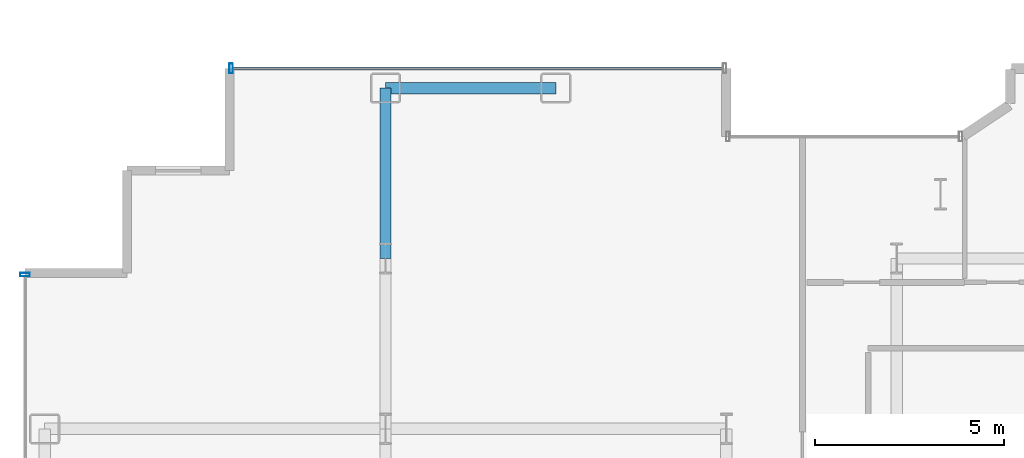
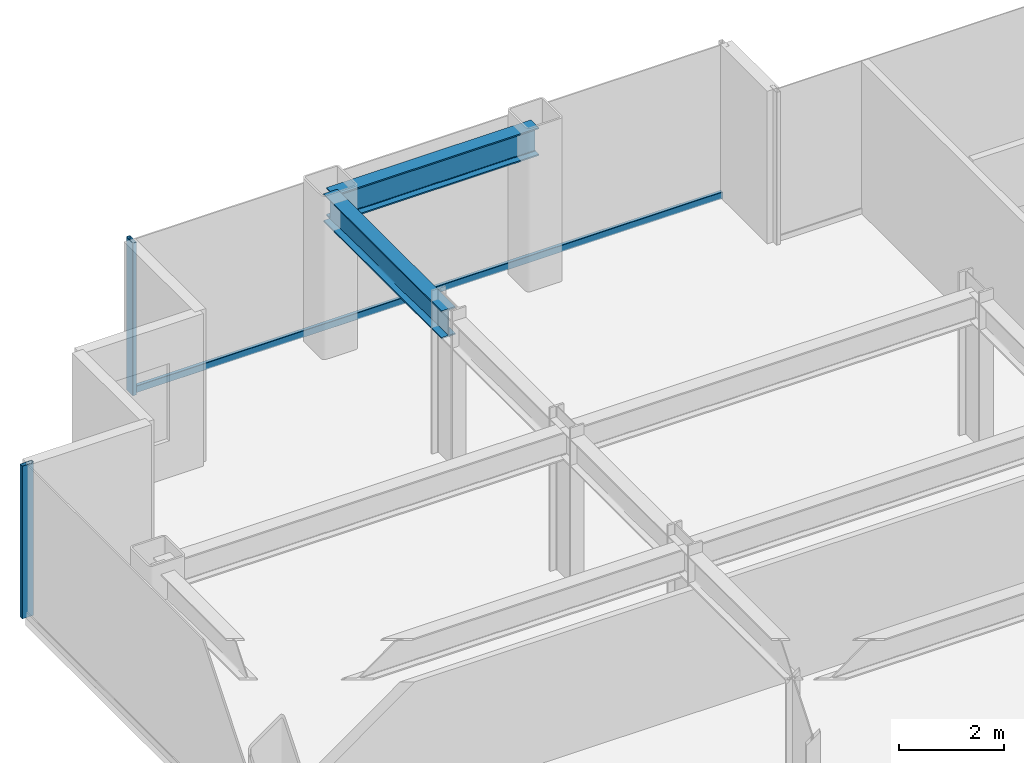
# One storey, part 10 of 23: 3 members, 2 beams, 2 elements without a shape of their own.
"""IFC4 building model written with IfcOpenShell, lengths in metres."""

from ifc_helpers import new_model, si_unit, direction, frame, origin, origin_2d, place, context, subcontext, project, spatial, hollow_rectangle, i_section, extrude, source, transform, mapped, material, layer, layer_set, material_profile, profile_set, type_object, element, aggregate, save


model = new_model("IFC4")

# Units and contexts
model_context = context("Model", 3, precision=1e-05, world=origin(), true_north=direction((0.0, 1.0)))
body_context = subcontext(model_context, "Body", "Model", "MODEL_VIEW")
ifc_project = project(units=[si_unit("LENGTHUNIT", "METRE"), si_unit("AREAUNIT", "SQUARE_METRE"), si_unit("VOLUMEUNIT", "CUBIC_METRE"), si_unit("PLANEANGLEUNIT", "RADIAN"), si_unit("MASSUNIT", "GRAM", prefix="KILO")], contexts=[model_context])

# Site, building, storey
site_placement = place(None, origin())
site = spatial("IfcSite", under=ifc_project, at=site_placement, CompositionType="ELEMENT")
building_placement = place(site_placement, origin())
building = spatial("IfcBuilding", under=site, at=building_placement, Name="Nefas-Gora Pilgrimage Tower", CompositionType="ELEMENT")
storey_placement = place(building_placement, frame((0.0, 0.0, 175.39990234375)))
storey = spatial("IfcBuildingStorey", under=building, at=storey_placement, Name="L43", CompositionType="ELEMENT", Elevation=175.39990234375)

# Beams
ifc_material_1 = material(Name="Steel S355", Category="steel")
ifc_material_profile_1 = material_profile(ifc_material_1, i_section(OverallWidth=0.300048828125, OverallDepth=0.64990234375, WebThickness=0.01611328125, FlangeThickness=0.031005859375, FilletRadius=0.027099609375, at=origin_2d()), Name="HEB 650")
ifc_profile_set_1 = profile_set([ifc_material_profile_1], Name="Steel S355")
beam_type_1 = type_object("IfcBeamType", Name="BM-SPN-HEB500", PredefinedType="SPANDREL", material=ifc_profile_set_1)
shared_shape_1 = source(origin(), body_context, "Body", "SweptSolid", [
    extrude(i_section(OverallWidth=0.300048828125, OverallDepth=0.64990234375, WebThickness=0.01611328125, FlangeThickness=0.031005859375, FilletRadius=0.027099609375, at=origin_2d()), origin(), (0.0, 0.0, 1.0), 4.5),
])
beam_1_placement = place(storey_placement, frame((-24.75, 22.5, 3.22509765625), z_axis=(1.0, 0.0, 0.0), x_axis=(0.0, 1.0, 0.0)))
element("IfcBeam", 1, at=beam_1_placement, inside=storey, type_object=beam_type_1, Name="L43 SP-02 beam", PredefinedType="SPANDREL", context=body_context, shape_type="MappedRepresentation", body=[
    mapped(shared_shape_1, transform((0.0, 0.0, 0.0), x_axis=(1.0, 0.0, 0.0), y_axis=(0.0, 1.0, 0.0), z_axis=(0.0, 0.0, 1.0), scale=1.0)),
])
ifc_material_profile_2 = material_profile(ifc_material_1, i_section(OverallWidth=0.300048828125, OverallDepth=0.64990234375, WebThickness=0.01611328125, FlangeThickness=0.031005859375, FilletRadius=0.027099609375, at=origin_2d()), Name="HEB 650")
ifc_profile_set_2 = profile_set([ifc_material_profile_2], Name="Steel S355")
beam_type_2 = type_object("IfcBeamType", Name="BM-GIR-HEB650", PredefinedType="BEAM", material=ifc_profile_set_2)
shared_shape_2 = source(origin(), body_context, "Body", "SweptSolid", [
    extrude(i_section(OverallWidth=0.300048828125, OverallDepth=0.64990234375, WebThickness=0.01611328125, FlangeThickness=0.031005859375, FilletRadius=0.027099609375, at=origin_2d()), origin(), (0.0, 0.0, 1.0), 4.5),
])
beam_2_placement = place(storey_placement, frame((-24.75, 18.0, 3.22509765625), z_axis=(0.0, 1.0, 0.0), x_axis=(-1.0, 0.0, 0.0)))
element("IfcBeam", 2, at=beam_2_placement, inside=storey, type_object=beam_type_2, Name="L43 G-03 beam", PredefinedType="BEAM", context=body_context, shape_type="MappedRepresentation", body=[
    mapped(shared_shape_2, transform((0.0, 0.0, 0.0), x_axis=(1.0, 0.0, 0.0), y_axis=(0.0, 1.0, 0.0), z_axis=(0.0, 0.0, 1.0), scale=1.0)),
])

# Curtain wall, member
ifc_material_2 = material(Name="Dark ceramic-fritted solar-control aluminium-glass curtain wall", Category="aluminium")
ifc_layer = layer(ifc_material_2, 0.219970703125)
ifc_layer_set = layer_set([ifc_layer], Name="Dark ceramic-fritted solar-control aluminium-glass curtain wall")
curtain_wall_type = type_object("IfcCurtainWallType", Name="CW-SYS-3", PredefinedType="NOTDEFINED", material=ifc_layer_set)
curtain_wall_1_placement = place(storey_placement, origin())
curtain_wall_1 = element("IfcCurtainWall", 3, at=curtain_wall_1_placement, inside=storey, type_object=curtain_wall_type, Name="L43 Unitised Curtain Wall CW3", PredefinedType="NOTDEFINED")
ifc_material_3 = material(Name="Anodised architectural aluminium", Category="aluminium")
ifc_material_profile_3 = material_profile(ifc_material_3, hollow_rectangle(XDim=0.090087890625, YDim=0.260009765625, WallThickness=0.006103515625, InnerFilletRadius=0.006103515625, OuterFilletRadius=0.011962890625, at=origin_2d()), Name="ALU MULLION 90x260")
ifc_profile_set_3 = profile_set([ifc_material_profile_3], Name="Anodised architectural aluminium")
member_type_1 = type_object("IfcMemberType", Name="CWM-MUL-3", PredefinedType="MULLION", material=ifc_profile_set_3)
shared_shape_3 = source(origin(), body_context, "Body", "SweptSolid", [
    extrude(hollow_rectangle(XDim=0.090087890625, YDim=0.260009765625, WallThickness=0.006103515625, InnerFilletRadius=0.006103515625, OuterFilletRadius=0.011962890625, at=origin_2d()), origin(), (0.0, 0.0, 1.0), 3.550048828125),
])
member_1_placement = place(storey_placement, frame((-28.824951171875, 23.02001953125, 0.0), z_axis=(0.0, 0.0, 1.0), x_axis=(-1.0, 0.0, 0.0)))
member_1 = element("IfcMember", 4, at=member_1_placement, type_object=member_type_1, Name="CW3 Mullion 2", PredefinedType="MULLION", context=body_context, shape_type="MappedRepresentation", body=[
    mapped(shared_shape_3, transform((0.0, 0.0, 0.0), x_axis=(1.0, 0.0, 0.0), y_axis=(0.0, 1.0, 0.0), z_axis=(0.0, 0.0, 1.0), scale=1.0)),
])

curtain_wall_2_placement = place(storey_placement, origin())
curtain_wall_2 = element("IfcCurtainWall", 5, at=curtain_wall_2_placement, inside=storey, type_object=curtain_wall_type, Name="L43 Unitised Curtain Wall CW3", PredefinedType="NOTDEFINED")
member_2_placement = place(storey_placement, frame((-34.27001953125, 17.574951171875, 0.0), z_axis=(0.0, 0.0, 1.0), x_axis=(0.0, -1.0, 0.0)))
member_2 = element("IfcMember", 6, at=member_2_placement, type_object=member_type_1, Name="CW3 Mullion 1", PredefinedType="MULLION", context=body_context, shape_type="MappedRepresentation", body=[
    mapped(shared_shape_3, transform((0.0, 0.0, 0.0), x_axis=(1.0, 0.0, 0.0), y_axis=(0.0, 1.0, 0.0), z_axis=(0.0, 0.0, 1.0), scale=1.0)),
])
aggregate(curtain_wall_2, [member_2])

# Member
ifc_material_profile_4 = material_profile(ifc_material_3, hollow_rectangle(XDim=0.080078125, YDim=0.159912109375, WallThickness=0.00439453125, InnerFilletRadius=0.00439453125, OuterFilletRadius=0.009033203125, at=origin_2d()), Name="ALU TRANSOM 80x160")
ifc_profile_set_4 = profile_set([ifc_material_profile_4], Name="Anodised architectural aluminium")
member_type_2 = type_object("IfcMemberType", Name="CWM-TRN-3", PredefinedType="USERDEFINED", material=ifc_profile_set_4)
shared_shape_4 = source(origin(), body_context, "Body", "SweptSolid", [
    extrude(hollow_rectangle(XDim=0.080078125, YDim=0.159912109375, WallThickness=0.00439453125, InnerFilletRadius=0.00439453125, OuterFilletRadius=0.009033203125, at=origin_2d()), origin(), (0.0, 0.0, 1.0), 12.93994140625),
])
member_3_placement = place(storey_placement, frame((-15.840087890625, 23.02001953125, 0.050048828125), z_axis=(-1.0, 0.0, 0.0), x_axis=(0.0, -1.0, 0.0)))
member_3 = element("IfcMember", 7, at=member_3_placement, type_object=member_type_2, Name="CW3 Spandrel Transom", ObjectType="TRANSOM", PredefinedType="USERDEFINED", context=body_context, shape_type="MappedRepresentation", body=[
    mapped(shared_shape_4, transform((0.0, 0.0, 0.0), x_axis=(1.0, 0.0, 0.0), y_axis=(0.0, 1.0, 0.0), z_axis=(0.0, 0.0, 1.0), scale=1.0)),
])

aggregate(curtain_wall_1, [member_1, member_3])

save(model, "model.ifc")
